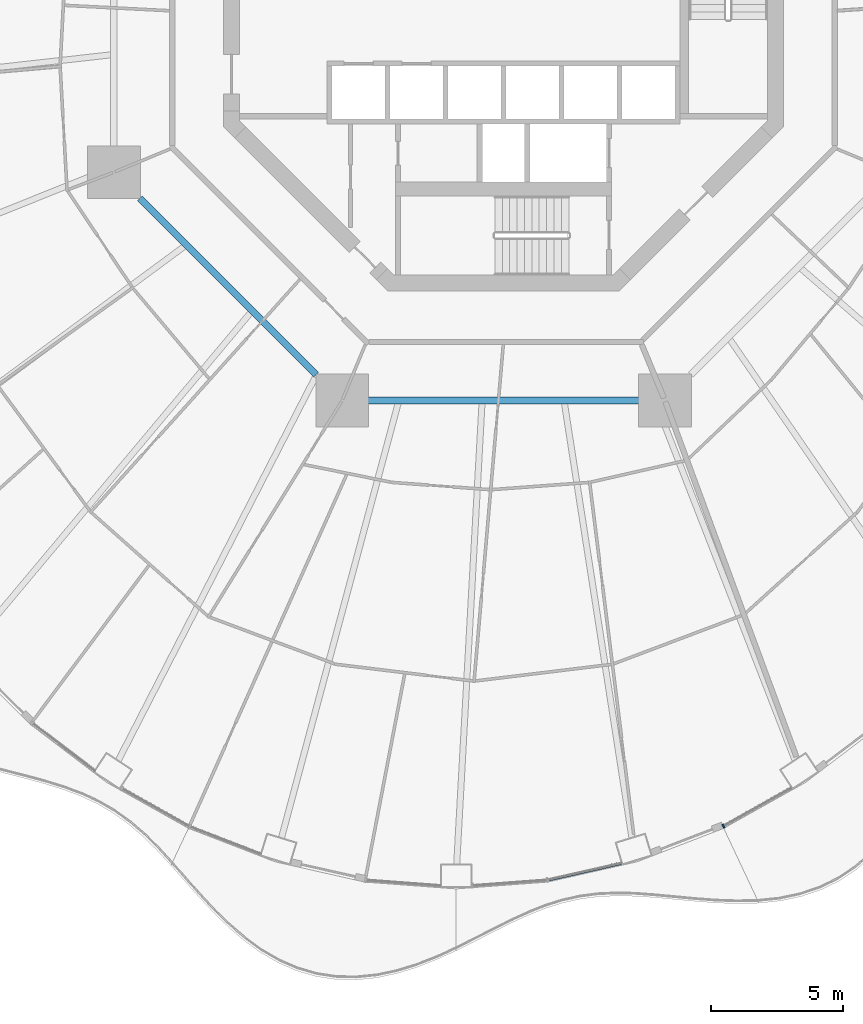
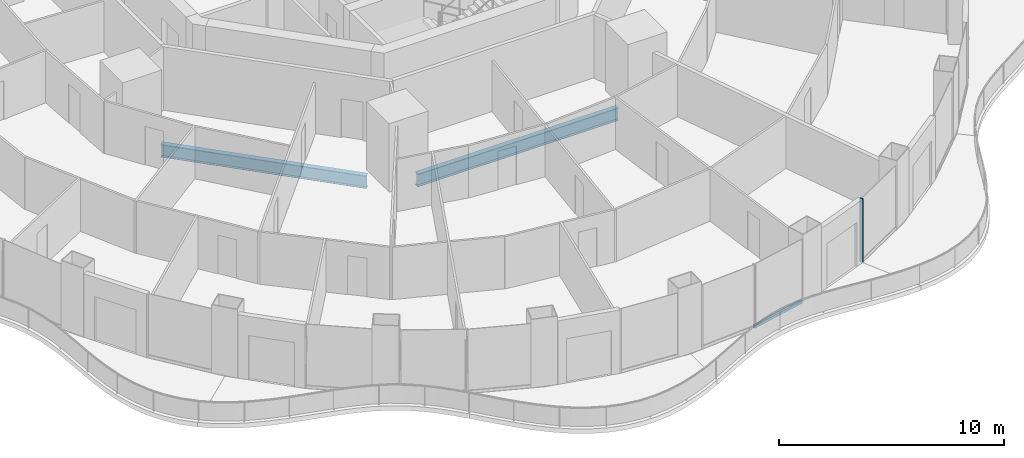
# One storey, part 4 of 20: 2 beams, 2 members, 2 elements without a shape of their own.
"""IFC4 building model written with IfcOpenShell, lengths in metres."""

import ifcopenshell
import ifcopenshell.guid

model = None  # the IFC model being written
_history = None  # IfcOwnerHistory: only IFC2X3 demands one
_inside = {}  # id of a spatial element -> (the spatial element, [elements in it])
_under = {}  # id of a project, library or spatial element -> (it, [spatial elements below it])
_declared = {}  # id of a project -> (the project, [libraries it declares])
_typed = {}  # id of a type object -> (the type object, [elements of that type])
_made_of = {}  # id of a material, layer set ... -> (it, [elements and type objects made of it])


def new_model(schema):
    """Start an empty IFC model of exactly this schema.

    Asked for "IFC4X3", IfcOpenShell would pick the latest addendum, in which some entities
    have other attributes; the version numbers below select the first issue.
    IFC2X3 requires an IfcOwnerHistory on every rooted entity: one is made here for all.
    """
    global model, _history
    if schema == "IFC4X3":
        model = ifcopenshell.file(schema_version=(4, 3, 0, 0))
    else:
        model = ifcopenshell.file(schema=schema)
    _inside.clear()
    _under.clear()
    _declared.clear()
    _typed.clear()
    _made_of.clear()
    _history = None
    if model.schema == "IFC2X3":
        org = make("IfcOrganization", Name="unknown")
        user = make(
            "IfcPersonAndOrganization",
            ThePerson=make("IfcPerson", FamilyName="unknown"),
            TheOrganization=org,
        )
        app = make(
            "IfcApplication",
            ApplicationDeveloper=org,
            Version="unknown",
            ApplicationFullName="unknown",
            ApplicationIdentifier="unknown",
        )
        _history = make(
            "IfcOwnerHistory",
            OwningUser=user,
            OwningApplication=app,
            ChangeAction="ADDED",
            CreationDate=0,
        )
    return model


def make(cls, **values):
    """One entity of the class cls with the attributes given. An attribute that is None is left unset."""
    return model.create_entity(
        cls, **{name: value for name, value in values.items() if value is not None}
    )


def rooted(cls, **values):
    """An entity with a GlobalId (a new one), such as an element, a storey or a relation."""
    return make(cls, GlobalId=ifcopenshell.guid.new(), OwnerHistory=_history, **values)


def si_unit(unit_type, name, prefix=None):
    """IfcSIUnit, for example si_unit("LENGTHUNIT", "METRE", prefix="MILLI")."""
    return make("IfcSIUnit", UnitType=unit_type, Prefix=prefix, Name=name)


def assignment(units):
    """IfcUnitAssignment: the units of a project."""
    return None if units is None else make("IfcUnitAssignment", Units=units)


def point(xyz):
    """IfcCartesianPoint."""
    return None if xyz is None else make("IfcCartesianPoint", Coordinates=xyz)


def direction(xyz):
    """IfcDirection."""
    return None if xyz is None else make("IfcDirection", DirectionRatios=xyz)


def frame(location, z_axis=None, x_axis=None):
    """IfcAxis2Placement3D, a coordinate frame: its origin and axes. An axis left out is left unset."""
    return make(
        "IfcAxis2Placement3D",
        Location=point(location),
        Axis=direction(z_axis),
        RefDirection=direction(x_axis),
    )


def frame_2d(location, x_axis=None):
    """IfcAxis2Placement2D, a coordinate frame in the plane: its origin and x axis."""
    return make(
        "IfcAxis2Placement2D", Location=point(location), RefDirection=direction(x_axis)
    )


def origin():
    """The frame at (0, 0, 0) with its axes left unset."""
    return frame((0.0, 0.0, 0.0))


def origin_2d():
    """The frame at (0, 0) in the plane with its x axis left unset."""
    return frame_2d((0.0, 0.0))


def place(relative_to, where):
    """IfcLocalPlacement: puts the frame where relative to a parent placement (None: the world)."""
    return make(
        "IfcLocalPlacement", PlacementRelTo=relative_to, RelativePlacement=where
    )


def context(
    kind, dimensions, precision=None, world=None, true_north=None, identifier=None
):
    """IfcGeometricRepresentationContext, for example the 3D "Model" context."""
    return make(
        "IfcGeometricRepresentationContext",
        ContextIdentifier=identifier,
        ContextType=kind,
        CoordinateSpaceDimension=dimensions,
        Precision=precision,
        WorldCoordinateSystem=world,
        TrueNorth=true_north,
    )


def subcontext(parent, identifier, kind, view, scale=None):
    """IfcGeometricRepresentationSubContext, for example "Body" below "Model"."""
    return make(
        "IfcGeometricRepresentationSubContext",
        ContextIdentifier=identifier,
        ContextType=kind,
        ParentContext=parent,
        TargetScale=scale,
        TargetView=view,
    )


def project(units=None, contexts=None):
    """IfcProject with its units and contexts."""
    return rooted(
        "IfcProject",
        Name="project",
        RepresentationContexts=contexts,
        UnitsInContext=assignment(units),
    )


def spatial(cls, under=None, at=None, **own):
    """A site, building, storey or space (cls), placed at a placement, below another one or the project."""
    s = rooted(cls, ObjectPlacement=at, **own)
    if under is not None:
        _under.setdefault(under.id(), (under, []))[1].append(s)
    return s


def profile(cls, at=None, kind="AREA", **sizes):
    """A parametric profile (cls). Its sizes go by their IFC names, for example OverallWidth=200.0."""
    return make(cls, ProfileType=kind, Position=at, **sizes)


def rectangle(**sizes):
    """IfcRectangleProfileDef."""
    return profile("IfcRectangleProfileDef", **sizes)


def i_section(**sizes):
    """IfcIShapeProfileDef."""
    return profile("IfcIShapeProfileDef", **sizes)


def extrude(swept, where, along, depth):
    """IfcExtrudedAreaSolid: the profile swept, set in the frame where, extruded along a direction by depth."""
    return make(
        "IfcExtrudedAreaSolid",
        SweptArea=swept,
        Position=where,
        ExtrudedDirection=direction(along),
        Depth=depth,
    )


def shape(context_of_items, identifier, shape_type, items):
    """IfcShapeRepresentation: the items that make up one representation, for example the "Body"."""
    return make(
        "IfcShapeRepresentation",
        ContextOfItems=context_of_items,
        RepresentationIdentifier=identifier,
        RepresentationType=shape_type,
        Items=items,
    )


def material(Name=None, Category=None):
    """IfcMaterial."""
    return make("IfcMaterial", Name=Name, Category=Category)


def layer(
    of_material, thickness, ventilated=None, Name=None, Category=None, Priority=None
):
    """IfcMaterialLayer: one layer of a wall or slab, of a material (None: an air gap)."""
    return make(
        "IfcMaterialLayer",
        Material=of_material,
        LayerThickness=thickness,
        IsVentilated=ventilated,
        Name=Name,
        Category=Category,
        Priority=Priority,
    )


def layer_set(layers, Name=None):
    """IfcMaterialLayerSet."""
    return make("IfcMaterialLayerSet", MaterialLayers=layers, LayerSetName=Name)


def material_profile(
    of_material, cross_section, Name=None, Category=None, Priority=None
):
    """IfcMaterialProfile: a cross section and its material."""
    return make(
        "IfcMaterialProfile",
        Name=Name,
        Material=of_material,
        Profile=cross_section,
        Priority=Priority,
        Category=Category,
    )


def profile_set(profiles, Name=None, composite=None):
    """IfcMaterialProfileSet."""
    return make(
        "IfcMaterialProfileSet",
        Name=Name,
        MaterialProfiles=profiles,
        CompositeProfile=composite,
    )


def made_of(thing, what):
    """Note that an element or type object is made of a material, layer set ...; save() writes the relation."""
    if what is not None:
        _made_of.setdefault(what.id(), (what, []))[1].append(thing)
    return thing


def type_object(cls, material=None, **own):
    """A type object (cls), such as IfcWallType, which elements share."""
    return made_of(rooted(cls, **own), material)


def element(
    cls,
    number,
    at=None,
    inside=None,
    cuts=None,
    type_object=None,
    material=None,
    context=None,
    identifier="Body",
    shape_type=None,
    held_by="IfcProductDefinitionShape",
    body=None,
    shapes=None,
    **own,
):
    """One element of the class cls, such as IfcWall. Its Tag is "e" and its number.

    at: its placement. inside: the storey or other place that contains it. cuts: it is an
    opening in that element (IfcRelVoidsElement). A single representation is given by context,
    identifier, shape_type and body (its items); several are given by shapes. held_by: the class
    of the entity that holds the representations. save() writes the other relations.
    """
    e = rooted(cls, Tag="e%d" % number, ObjectPlacement=at, **own)
    if body is not None:
        shapes = [shape(context, identifier, shape_type, body)]
    if shapes is not None:
        e.Representation = make(held_by, Representations=shapes)
    if inside is not None:
        _inside.setdefault(inside.id(), (inside, []))[1].append(e)
    if cuts is not None:
        rooted(
            "IfcRelVoidsElement", RelatingBuildingElement=cuts, RelatedOpeningElement=e
        )
    if type_object is not None:
        _typed.setdefault(type_object.id(), (type_object, []))[1].append(e)
    return made_of(e, material)


def aggregate(whole, parts):
    """IfcRelAggregates: a whole, such as a stair, and the parts it consists of."""
    return rooted("IfcRelAggregates", RelatingObject=whole, RelatedObjects=parts)


def save(model, path):
    """Write the relations noted so far, then the file.

    IfcRelAggregates (storeys below a building ...), IfcRelContainedInSpatialStructure (elements
    in a storey), IfcRelDefinesByType, IfcRelAssociatesMaterial and IfcRelDeclares: one each for
    every whole, place, type object, material and project.
    """
    for whole, parts in _under.values():
        aggregate(whole, parts)
    for where, things in _inside.values():
        rooted(
            "IfcRelContainedInSpatialStructure",
            RelatedElements=things,
            RelatingStructure=where,
        )
    for kind, things in _typed.values():
        rooted("IfcRelDefinesByType", RelatedObjects=things, RelatingType=kind)
    for what, things in _made_of.values():
        rooted("IfcRelAssociatesMaterial", RelatedObjects=things, RelatingMaterial=what)
    for by, libraries in _declared.values():
        rooted("IfcRelDeclares", RelatingContext=by, RelatedDefinitions=libraries)
    model.write(path)


model = new_model("IFC4")

# Units and contexts
model_context = context("Model", 3, precision=1e-05, world=origin(), true_north=direction((0.0, 1.0)))
body_context = subcontext(model_context, "Body", "Model", "MODEL_VIEW")
ifc_project = project(units=[si_unit("LENGTHUNIT", "METRE"), si_unit("AREAUNIT", "SQUARE_METRE"), si_unit("VOLUMEUNIT", "CUBIC_METRE"), si_unit("PLANEANGLEUNIT", "RADIAN"), si_unit("MASSUNIT", "GRAM", prefix="KILO")], contexts=[model_context])

# Site, building, storey
site_placement = place(None, origin())
site = spatial("IfcSite", under=ifc_project, at=site_placement, CompositionType="ELEMENT")
building_placement = place(site_placement, origin())
building = spatial("IfcBuilding", under=site, at=building_placement, Name="Nagisa Residences", CompositionType="ELEMENT")
storey_placement = place(building_placement, frame((0.0, 0.0, 119.60009765625)))
storey = spatial("IfcBuildingStorey", under=building, at=storey_placement, Name="L29", CompositionType="ELEMENT", Elevation=119.60009765625)

# Curtain wall, member
ifc_material_1 = material(Name="Concrete-coloured aluminium curtain wall system", Category="concrete")
ifc_layer = layer(ifc_material_1, 0.159912109375)
ifc_layer_set = layer_set([ifc_layer], Name="CW1 CURTAIN WALL")
curtain_wall_type = type_object("IfcCurtainWallType", Name="CW1 CURTAIN WALL", PredefinedType="NOTDEFINED", material=ifc_layer_set)
curtain_wall_1_placement = place(storey_placement, origin())
curtain_wall_1 = element("IfcCurtainWall", 1, at=curtain_wall_1_placement, inside=storey, type_object=curtain_wall_type, Name="cw:CW1:L29:39", PredefinedType="NOTDEFINED")
ifc_material_2 = material(Name="Concrete-coloured aluminium", Category="concrete")
ifc_material_profile_1 = material_profile(ifc_material_2, rectangle(XDim=0.159912109375, YDim=0.06005859375, at=origin_2d()), Name="CW1 MULLION 160x60")
ifc_profile_set_1 = profile_set([ifc_material_profile_1], Name="Concrete-coloured aluminium")
member_type_1 = type_object("IfcMemberType", Name="CW1 MULLION 160x60", PredefinedType="MULLION", material=ifc_profile_set_1)
member_1_placement = place(storey_placement, frame((8.341552734375, -30.9296875, 0.0), z_axis=(0.0, 0.0, 1.0), x_axis=(-0.489376918501, 0.872072377523, 0.0)))
member_1 = element("IfcMember", 2, at=member_1_placement, type_object=member_type_1, Name="CW1 mullion", PredefinedType="MULLION", context=body_context, shape_type="SweptSolid", body=[
    extrude(rectangle(XDim=0.159912109375, YDim=0.06005859375, at=origin_2d()), origin(), (0.0, 0.0, 1.0), 3.43994140625),
])
aggregate(curtain_wall_1, [member_1])

curtain_wall_2_placement = place(storey_placement, origin())
curtain_wall_2 = element("IfcCurtainWall", 3, at=curtain_wall_2_placement, inside=storey, type_object=curtain_wall_type, Name="cw:CW1:L29:37", PredefinedType="NOTDEFINED")
ifc_material_3 = material(Name="Concrete-coloured aluminium", Category="concrete")
ifc_material_profile_2 = material_profile(ifc_material_3, rectangle(XDim=0.1201171875, YDim=0.14990234375, at=origin_2d()), Name="CW1 TRANSOM 120x150")
ifc_profile_set_2 = profile_set([ifc_material_profile_2], Name="Concrete-coloured aluminium")
member_type_2 = type_object("IfcMemberType", Name="CW1 TRANSOM 120x150", PredefinedType="USERDEFINED", material=ifc_profile_set_2)
member_2_placement = place(storey_placement, frame((1.645751953125, -32.976318359375, 0.074951171875), z_axis=(0.975320849653, 0.220792301117, 0.0), x_axis=(-0.220792301117, 0.975320849653, 0.0)))
member_2 = element("IfcMember", 4, at=member_2_placement, type_object=member_type_2, Name="CW1 transom", ObjectType="TRANSOM", PredefinedType="USERDEFINED", context=body_context, shape_type="SweptSolid", body=[
    extrude(rectangle(XDim=0.1201171875, YDim=0.14990234375, at=origin_2d()), origin(), (0.0, 0.0, 1.0), 2.890380859375),
])
aggregate(curtain_wall_2, [member_2])

# Beams
ifc_material_4 = material(Name="Steel ASTM A572 Gr 50", Category="steel")
ifc_material_profile_3 = material_profile(ifc_material_4, i_section(OverallWidth=0.25390625, OverallDepth=0.68408203125, WebThickness=0.012451171875, FlangeThickness=0.018798828125, at=origin_2d()), Name="W690x140")
ifc_profile_set_3 = profile_set([ifc_material_profile_3], Name="Steel ASTM A572 Gr 50")
beam_type = type_object("IfcBeamType", Name="Inner ring beam W690x140", PredefinedType="BEAM", material=ifc_profile_set_3)
beam_1_placement = place(storey_placement, frame((-13.796142578125, -7.10888671875, -0.60205078125), z_axis=(0.707106781187, -0.707106781187, 0.0), x_axis=(0.707106781187, 0.707106781187, 0.0)))
element("IfcBeam", 5, at=beam_1_placement, inside=storey, type_object=beam_type, Name="beam:L29:ib5", PredefinedType="BEAM", context=body_context, shape_type="SweptSolid", body=[
    extrude(i_section(OverallWidth=0.25390625, OverallDepth=0.68408203125, WebThickness=0.012451171875, FlangeThickness=0.018798828125, at=origin_2d()), origin(), (0.0, 0.0, 1.0), 9.457275390625),
])
beam_2_placement = place(storey_placement, frame((-5.142822265625, -14.781982421875, -0.60205078125), z_axis=(1.0, 0.0, 0.0), x_axis=(0.0, 1.0, 0.0)))
element("IfcBeam", 6, at=beam_2_placement, inside=storey, type_object=beam_type, Name="beam:L29:ib6", PredefinedType="BEAM", context=body_context, shape_type="SweptSolid", body=[
    extrude(i_section(OverallWidth=0.25390625, OverallDepth=0.68408203125, WebThickness=0.012451171875, FlangeThickness=0.018798828125, at=origin_2d()), origin(), (0.0, 0.0, 1.0), 10.28564453125),
])

save(model, "model.ifc")
